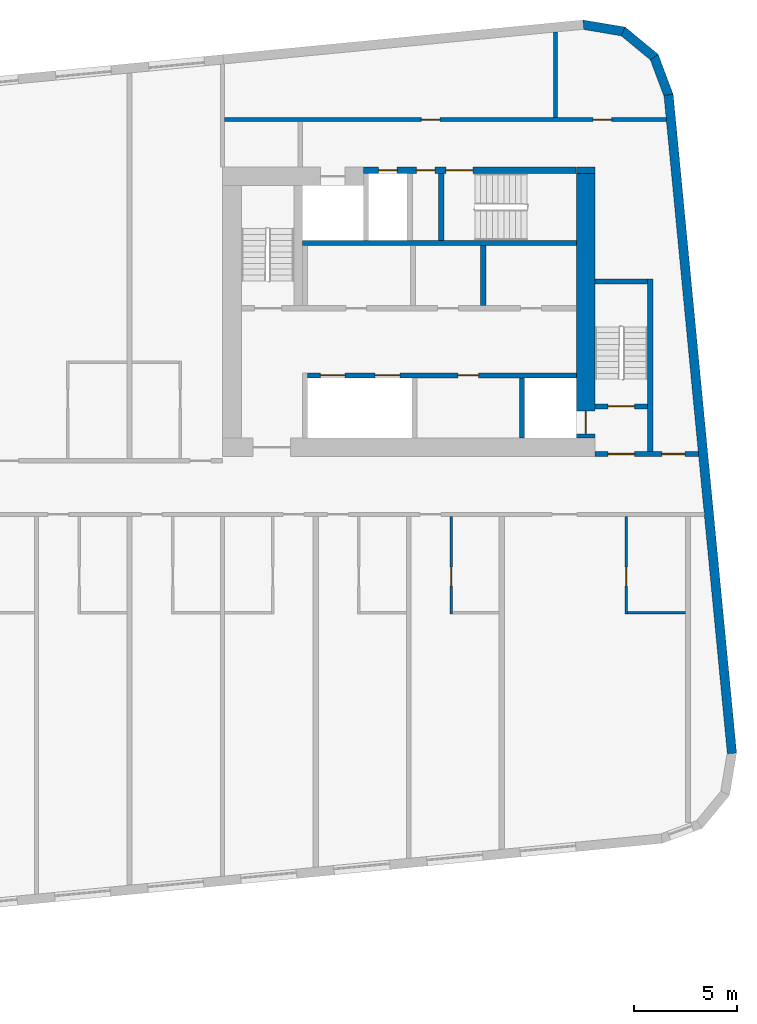
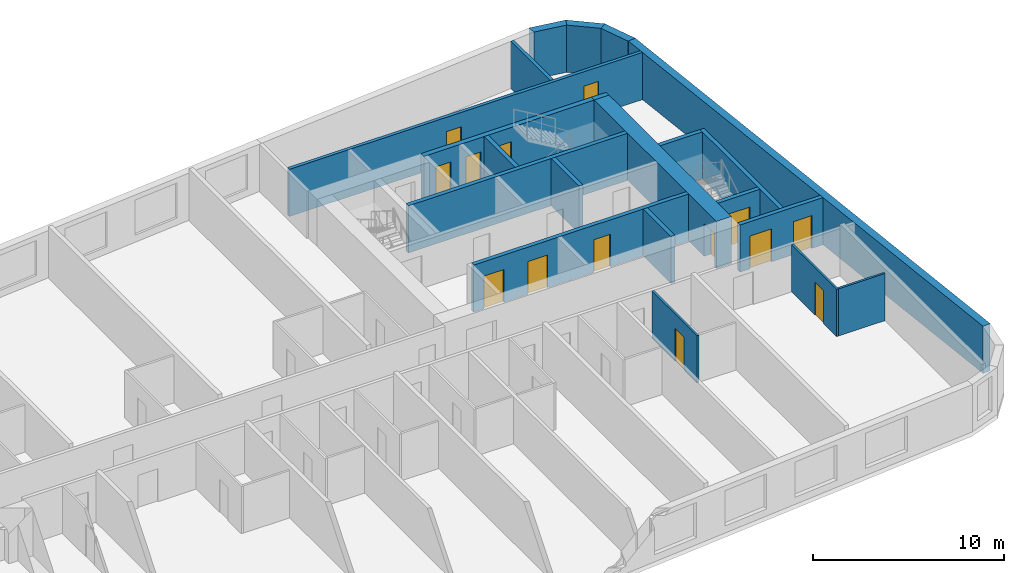
# One storey, part 7 of 11: 21 walls, 14 doors, 14 openings.
"""IFC4 building model written with IfcOpenShell, lengths in metres."""

from ifc_helpers import new_model, si_unit, direction, frame, frame_2d, origin, place, context, subcontext, project, spatial, polyline, rectangle, outline, extrude, material, layer, layer_set, type_object, element, fill, save


model = new_model("IFC4")

# Units and contexts
model_context = context("Model", 3, precision=1e-05, world=origin(), true_north=direction((0.0, 1.0)))
body_context = subcontext(model_context, "Body", "Model", "MODEL_VIEW")
ifc_project = project(units=[si_unit("LENGTHUNIT", "METRE"), si_unit("AREAUNIT", "SQUARE_METRE"), si_unit("VOLUMEUNIT", "CUBIC_METRE"), si_unit("PLANEANGLEUNIT", "RADIAN"), si_unit("MASSUNIT", "GRAM", prefix="KILO")], contexts=[model_context])

# Site, building, storey
site_placement = place(None, origin())
site = spatial("IfcSite", under=ifc_project, at=site_placement, CompositionType="ELEMENT")
building_placement = place(site_placement, origin())
building = spatial("IfcBuilding", under=site, at=building_placement, Name="Kajstack Hotel Tower", CompositionType="ELEMENT")
storey_placement = place(building_placement, frame((0.0, 0.0, 285.0)))
storey = spatial("IfcBuildingStorey", under=building, at=storey_placement, Name="L71", CompositionType="ELEMENT", Elevation=285.0)

# Wall
ifc_material_1 = material(Name="Concrete C60/75", Category="concrete")
ifc_layer_1 = layer(ifc_material_1, 0.89990234375)
ifc_layer_set_1 = layer_set([ifc_layer_1], Name="Core wall 900")
wall_type_1 = type_object("IfcWallType", Name="Core wall 900", PredefinedType="SHEAR", material=ifc_layer_set_1)
wall_1_placement = place(storey_placement, frame((30.60009765625, 15.35009765625, 0.0), z_axis=(0.0, 0.0, 1.0), x_axis=(1.0, 0.0, 0.0)))
element("IfcWall", 1, at=wall_1_placement, inside=storey, type_object=wall_type_1, Name="Core wall E RSW", PredefinedType="SHEAR", context=body_context, shape_type="SweptSolid", body=[
    extrude(rectangle(XDim=0.89990234375, YDim=0.300048828125, at=frame_2d((0.449951171875, 0.0))), origin(), (0.0, 0.0, 1.0), 3.02001953125),
])

# Wall, opening, door
wall_2_placement = place(storey_placement, frame((31.050048828125, 2.39990234375, 0.0), z_axis=(0.0, 0.0, 1.0), x_axis=(0.0, 1.0, 0.0)))
wall_2 = element("IfcWall", 2, at=wall_2_placement, inside=storey, type_object=wall_type_1, Name="Core wall E RW", PredefinedType="SHEAR", context=body_context, shape_type="SweptSolid", body=[
    extrude(rectangle(XDim=12.800048828125, YDim=0.89990234375, at=frame_2d((6.39990234375, 0.0))), origin(), (0.0, 0.0, 1.0), 3.02001953125),
])
opening_1_placement = place(wall_2_placement, frame((0.199951171875, 0.0, 0.0)))
opening_1 = element("IfcOpeningElement", 3, at=opening_1_placement, cuts=wall_2, Name="Opening LD-FF2", PredefinedType="OPENING", context=body_context, shape_type="SweptSolid", body=[
    extrude(rectangle(XDim=1.10009765625, YDim=2.10009765625, at=frame_2d((0.550048828125, 1.050048828125))), frame((0.0, 0.4599609375, 0.0), z_axis=(0.0, -1.0, 0.0), x_axis=(1.0, 0.0, 0.0)), (0.0, 0.0, 1.0), 0.919921875),
])
ifc_material_2 = material(Name="Stainless steel", Category="steel")
door_type_1 = type_object("IfcDoorType", Name="Fire-fighting lift landing door 1100", OperationType="SLIDING_TO_LEFT", PredefinedType="DOOR", material=ifc_material_2)
door_1_placement = place(opening_1_placement, origin())
door_1 = element("IfcDoor", 4, at=door_1_placement, inside=storey, type_object=door_type_1, Name="Landing door FF2", OperationType="SLIDING_TO_LEFT", OverallHeight=2.10009765625, OverallWidth=1.10009765625, PredefinedType="DOOR", context=body_context, shape_type="SweptSolid", body=[
    extrude(rectangle(XDim=1.10009765625, YDim=2.10009765625, at=frame_2d((0.550048828125, 1.050048828125))), frame((0.0, 0.02490234375, 0.0), z_axis=(0.0, -1.0, 0.0), x_axis=(1.0, 0.0, 0.0)), (0.0, 0.0, 1.0), 0.050048828125),
])
fill(opening_1, door_1)

# Walls
ifc_material_3 = material(Name="Terracotta-faced brick masonry", Category="masonry")
ifc_layer_2 = layer(ifc_material_3, 0.449951171875)
ifc_layer_set_2 = layer_set([ifc_layer_2], Name="EW-TERRA")
wall_type_2 = type_object("IfcWallType", Name="EW-TERRA", PredefinedType="SOLIDWALL", material=ifc_layer_set_2)
wall_3_placement = place(storey_placement, frame((38.13232421875, -12.85791015625, 0.0), z_axis=(0.0, 0.0, 1.0), x_axis=(-0.095847749461, 0.995396006082, 0.0)))
element("IfcWall", 5, at=wall_3_placement, inside=storey, type_object=wall_type_2, Name="E-wall-L71-08-00", PredefinedType="SOLIDWALL", context=body_context, shape_type="SweptSolid", body=[
    extrude(rectangle(XDim=32.0, YDim=0.449951171875, at=frame_2d((16.0, 0.0))), origin(), (0.0, 0.0, 1.0), 3.02001953125),
])
wall_4_placement = place(storey_placement, frame((35.078369140625, 18.9375, 0.0), z_axis=(0.0, 0.0, 1.0), x_axis=(-0.350192909346, 0.936677599948, 0.0)))
element("IfcWall", 6, at=wall_4_placement, inside=storey, type_object=wall_type_2, Name="E-wall-L71-09-00", PredefinedType="SOLIDWALL", context=body_context, shape_type="SweptSolid", body=[
    extrude(outline(polyline([(0.0, -0.22509765625), (2.070556640625, -0.22509765625), (1.949951171875, 0.224853515625), (0.12060546875, 0.224853515625), (0.0, -0.22509765625)])), origin(), (0.0, 0.0, 1.0), 3.02001953125),
])
wall_5_placement = place(storey_placement, frame((34.4208984375, 20.7822265625, 0.0), z_axis=(0.0, 0.0, 1.0), x_axis=(-0.771593176315, 0.636116318187, 0.0)))
element("IfcWall", 7, at=wall_5_placement, inside=storey, type_object=wall_type_2, Name="E-wall-L71-10-00", PredefinedType="SOLIDWALL", context=body_context, shape_type="SweptSolid", body=[
    extrude(outline(polyline([(0.0, -0.22509765625), (2.070556640625, -0.224853515625), (1.949951171875, 0.22509765625), (0.120361328125, 0.22509765625), (0.0, -0.22509765625)])), origin(), (0.0, 0.0, 1.0), 3.02001953125),
])
wall_6_placement = place(storey_placement, frame((32.92919921875, 22.051025390625, 0.0), z_axis=(0.0, 0.0, 1.0), x_axis=(-0.986298144721, 0.164972633245, 0.0)))
element("IfcWall", 8, at=wall_6_placement, inside=storey, type_object=wall_type_2, Name="E-wall-L71-11-00", PredefinedType="SOLIDWALL", context=body_context, shape_type="SweptSolid", body=[
    extrude(outline(polyline([(0.0, -0.224853515625), (2.0703125, -0.22509765625), (1.949951171875, 0.224853515625), (0.12060546875, 0.22509765625), (0.0, -0.224853515625)])), origin(), (0.0, 0.0, 1.0), 3.02001953125),
])

# Wall, opening, door
ifc_material_4 = material(Name="Gypsum board and tiled backer on steel studs", Category="steel")
ifc_layer_3 = layer(ifc_material_4, 0.125)
ifc_layer_set_3 = layer_set([ifc_layer_3], Name="En-suite wall 125")
wall_type_3 = type_object("IfcWallType", Name="En-suite wall 125", PredefinedType="PARTITIONING", material=ifc_layer_set_3)
wall_7_placement = place(storey_placement, frame((24.56201171875, -6.125, 0.0), z_axis=(0.0, 0.0, 1.0), x_axis=(0.0, 1.0, 0.0)))
wall_7 = element("IfcWall", 9, at=wall_7_placement, inside=storey, type_object=wall_type_3, Name="G-wall-L71-036", PredefinedType="PARTITIONING", context=body_context, shape_type="SweptSolid", body=[
    extrude(rectangle(XDim=4.72509765625, YDim=0.125, at=frame_2d((2.362548828125, 0.0))), origin(), (0.0, 0.0, 1.0), 3.02001953125),
])
opening_2_placement = place(wall_7_placement, frame((1.375, 0.0, 0.0)))
opening_2 = element("IfcOpeningElement", 10, at=opening_2_placement, cuts=wall_7, Name="Opening 71030", PredefinedType="OPENING", context=body_context, shape_type="SweptSolid", body=[
    extrude(rectangle(XDim=0.89990234375, YDim=2.10009765625, at=frame_2d((0.449951171875, 1.050048828125))), frame((0.0, 0.072509765625, 0.0), z_axis=(0.0, -1.0, 0.0), x_axis=(1.0, 0.0, 0.0)), (0.0, 0.0, 1.0), 0.14501953125),
])
ifc_material_5 = material(Name="Painted timber door leaf", Category="wood")
door_type_2 = type_object("IfcDoorType", Name="Room door 900", OperationType="SINGLE_SWING_LEFT", PredefinedType="DOOR", material=ifc_material_5)
door_2_placement = place(opening_2_placement, origin())
door_2 = element("IfcDoor", 11, at=door_2_placement, inside=storey, type_object=door_type_2, Name="G-door-L71-30", OperationType="SINGLE_SWING_RIGHT", OverallHeight=2.10009765625, OverallWidth=0.89990234375, PredefinedType="DOOR", context=body_context, shape_type="SweptSolid", body=[
    extrude(rectangle(XDim=0.89990234375, YDim=2.10009765625, at=frame_2d((0.449951171875, 1.050048828125))), frame((0.0, 0.02490234375, 0.0), z_axis=(0.0, -1.0, 0.0), x_axis=(1.0, 0.0, 0.0)), (0.0, 0.0, 1.0), 0.050048828125),
])
fill(opening_2, door_2)

wall_8_placement = place(storey_placement, frame((33.012939453125, -6.125, 0.0), z_axis=(0.0, 0.0, 1.0), x_axis=(0.0, 1.0, 0.0)))
wall_8 = element("IfcWall", 12, at=wall_8_placement, inside=storey, type_object=wall_type_3, Name="G-wall-L71-038", PredefinedType="PARTITIONING", context=body_context, shape_type="SweptSolid", body=[
    extrude(rectangle(XDim=4.72509765625, YDim=0.125, at=frame_2d((2.362548828125, 0.0))), origin(), (0.0, 0.0, 1.0), 3.02001953125),
])
opening_3_placement = place(wall_8_placement, frame((1.375, 0.0, 0.0)))
opening_3 = element("IfcOpeningElement", 13, at=opening_3_placement, cuts=wall_8, Name="Opening 71032", PredefinedType="OPENING", context=body_context, shape_type="SweptSolid", body=[
    extrude(rectangle(XDim=0.89990234375, YDim=2.10009765625, at=frame_2d((0.449951171875, 1.050048828125))), frame((0.0, 0.072509765625, 0.0), z_axis=(0.0, -1.0, 0.0), x_axis=(1.0, 0.0, 0.0)), (0.0, 0.0, 1.0), 0.14501953125),
])
door_3_placement = place(opening_3_placement, origin())
door_3 = element("IfcDoor", 14, at=door_3_placement, inside=storey, type_object=door_type_2, Name="G-door-L71-32", OperationType="SINGLE_SWING_RIGHT", OverallHeight=2.10009765625, OverallWidth=0.89990234375, PredefinedType="DOOR", context=body_context, shape_type="SweptSolid", body=[
    extrude(rectangle(XDim=0.89990234375, YDim=2.10009765625, at=frame_2d((0.449951171875, 1.050048828125))), frame((0.0, 0.02490234375, 0.0), z_axis=(0.0, -1.0, 0.0), x_axis=(1.0, 0.0, 0.0)), (0.0, 0.0, 1.0), 0.050048828125),
])
fill(opening_3, door_3)

# Walls
wall_9_placement = place(storey_placement, frame((33.074951171875, -6.06201171875, 0.0), z_axis=(0.0, 0.0, 1.0), x_axis=(1.0, 0.0, 0.0)))
element("IfcWall", 15, at=wall_9_placement, inside=storey, type_object=wall_type_3, Name="G-wall-L71-039", PredefinedType="PARTITIONING", context=body_context, shape_type="SweptSolid", body=[
    extrude(rectangle(XDim=2.800048828125, YDim=0.125, at=frame_2d((1.39990234375, 0.0))), origin(), (0.0, 0.0, 1.0), 3.02001953125),
])
ifc_material_6 = material(Name="Concrete block masonry", Category="masonry")
ifc_layer_4 = layer(ifc_material_6, 0.25)
ifc_layer_set_4 = layer_set([ifc_layer_4], Name="Riser partition 250")
wall_type_4 = type_object("IfcWallType", Name="Riser partition 250", PredefinedType="PARTITIONING", material=ifc_layer_set_4)
wall_10_placement = place(storey_placement, frame((26.10009765625, 8.800048828125, 0.0), z_axis=(0.0, 0.0, 1.0), x_axis=(0.0, 1.0, 0.0)))
element("IfcWall", 16, at=wall_10_placement, inside=storey, type_object=wall_type_4, Name="Partition E BF0", PredefinedType="PARTITIONING", context=body_context, shape_type="SweptSolid", body=[
    extrude(rectangle(XDim=2.89990234375, YDim=0.25, at=frame_2d((1.449951171875, 0.0))), origin(), (0.0, 0.0, 1.0), 3.02001953125),
])

# Wall, openings, doors
ifc_material_7 = material(Name="Gypsum board on steel studs, mineral wool", Category="steel")
ifc_layer_5 = layer(ifc_material_7, 0.199951171875)
ifc_layer_set_5 = layer_set([ifc_layer_5], Name="Service partition 200")
wall_type_5 = type_object("IfcWallType", Name="Service partition 200", PredefinedType="PARTITIONING", material=ifc_layer_set_5)
wall_11_placement = place(storey_placement, frame((31.5, 1.625, 0.0), z_axis=(0.0, 0.0, 1.0), x_axis=(1.0, 0.0, 0.0)))
wall_11 = element("IfcWall", 17, at=wall_11_placement, inside=storey, type_object=wall_type_5, Name="Partition E SN", PredefinedType="PARTITIONING", context=body_context, shape_type="SweptSolid", body=[
    extrude(rectangle(XDim=5.01171875, YDim=0.25, at=frame_2d((2.505859375, 0.0))), origin(), (0.0, 0.0, 1.0), 3.02001953125),
])
opening_4_placement = place(wall_11_placement, frame((0.625, 0.0, 0.0)))
opening_4 = element("IfcOpeningElement", 18, at=opening_4_placement, cuts=wall_11, Name="Opening 71E06", PredefinedType="OPENING", context=body_context, shape_type="SweptSolid", body=[
    extrude(rectangle(XDim=1.300048828125, YDim=2.10009765625, at=frame_2d((0.64990234375, 1.050048828125))), frame((0.0, 0.135009765625, 0.0), z_axis=(0.0, -1.0, 0.0), x_axis=(1.0, 0.0, 0.0)), (0.0, 0.0, 1.0), 0.27001953125),
])
opening_5_placement = place(wall_11_placement, frame((3.25, 0.0, 0.0)))
opening_5 = element("IfcOpeningElement", 19, at=opening_5_placement, cuts=wall_11, Name="Opening 71E08", PredefinedType="OPENING", context=body_context, shape_type="SweptSolid", body=[
    extrude(rectangle(XDim=1.10009765625, YDim=2.10009765625, at=frame_2d((0.550048828125, 1.050048828125))), frame((0.0, 0.135009765625, 0.0), z_axis=(0.0, -1.0, 0.0), x_axis=(1.0, 0.0, 0.0)), (0.0, 0.0, 1.0), 0.27001953125),
])
ifc_material_8 = material(Name="Steel leaf, fire-rated", Category="steel")
door_type_3 = type_object("IfcDoorType", Name="Fire lobby door 1300", OperationType="SINGLE_SWING_LEFT", PredefinedType="DOOR", material=ifc_material_8)
door_4_placement = place(opening_4_placement, origin())
door_4 = element("IfcDoor", 20, at=door_4_placement, inside=storey, type_object=door_type_3, Name="Door 71E06", OperationType="SINGLE_SWING_LEFT", OverallHeight=2.10009765625, OverallWidth=1.300048828125, PredefinedType="DOOR", context=body_context, shape_type="SweptSolid", body=[
    extrude(rectangle(XDim=1.300048828125, YDim=2.10009765625, at=frame_2d((0.64990234375, 1.050048828125))), frame((0.0, 0.02490234375, 0.0), z_axis=(0.0, -1.0, 0.0), x_axis=(1.0, 0.0, 0.0)), (0.0, 0.0, 1.0), 0.050048828125),
])
fill(opening_4, door_4)
ifc_material_9 = material(Name="Timber leaf, fire-rated", Category="wood")
door_type_4 = type_object("IfcDoorType", Name="Service corridor door 1100", OperationType="SINGLE_SWING_LEFT", PredefinedType="DOOR", material=ifc_material_9)
door_5_placement = place(opening_5_placement, origin())
door_5 = element("IfcDoor", 21, at=door_5_placement, inside=storey, type_object=door_type_4, Name="Door 71E08", OperationType="SINGLE_SWING_LEFT", OverallHeight=2.10009765625, OverallWidth=1.10009765625, PredefinedType="DOOR", context=body_context, shape_type="SweptSolid", body=[
    extrude(rectangle(XDim=1.10009765625, YDim=2.10009765625, at=frame_2d((0.550048828125, 1.050048828125))), frame((0.0, 0.02490234375, 0.0), z_axis=(0.0, -1.0, 0.0), x_axis=(1.0, 0.0, 0.0)), (0.0, 0.0, 1.0), 0.050048828125),
])
fill(opening_5, door_5)

wall_12_placement = place(storey_placement, frame((13.60009765625, 17.800048828125, 0.0), z_axis=(0.0, 0.0, 1.0), x_axis=(1.0, 0.0, 0.0)))
wall_12 = element("IfcWall", 22, at=wall_12_placement, inside=storey, type_object=wall_type_5, Name="Partition E SLN", PredefinedType="PARTITIONING", context=body_context, shape_type="SweptSolid", body=[
    extrude(rectangle(XDim=21.35400390625, YDim=0.199951171875, at=frame_2d((10.677001953125, 0.0))), origin(), (0.0, 0.0, 1.0), 3.02001953125),
])
opening_6_placement = place(wall_12_placement, frame((17.8125, 0.0, 0.0)))
opening_6 = element("IfcOpeningElement", 23, at=opening_6_placement, cuts=wall_12, Name="Opening 71E17", PredefinedType="OPENING", context=body_context, shape_type="SweptSolid", body=[
    extrude(rectangle(XDim=0.89990234375, YDim=2.10009765625, at=frame_2d((0.449951171875, 1.050048828125))), frame((0.0, 0.10986328125, 0.0), z_axis=(0.0, -1.0, 0.0), x_axis=(1.0, 0.0, 0.0)), (0.0, 0.0, 1.0), 0.219970703125),
])
opening_7_placement = place(wall_12_placement, frame((9.512451171875, 0.0, 0.0)))
opening_7 = element("IfcOpeningElement", 24, at=opening_7_placement, cuts=wall_12, Name="Opening 71E18", PredefinedType="OPENING", context=body_context, shape_type="SweptSolid", body=[
    extrude(rectangle(XDim=0.89990234375, YDim=2.10009765625, at=frame_2d((0.449951171875, 1.050048828125))), frame((0.0, 0.10986328125, 0.0), z_axis=(0.0, -1.0, 0.0), x_axis=(1.0, 0.0, 0.0)), (0.0, 0.0, 1.0), 0.219970703125),
])
door_type_5 = type_object("IfcDoorType", Name="Service door 900", OperationType="SINGLE_SWING_LEFT", PredefinedType="DOOR", material=ifc_material_9)
door_6_placement = place(opening_6_placement, origin())
door_6 = element("IfcDoor", 25, at=door_6_placement, inside=storey, type_object=door_type_5, Name="Door 71E17", OperationType="SINGLE_SWING_LEFT", OverallHeight=2.10009765625, OverallWidth=0.89990234375, PredefinedType="DOOR", context=body_context, shape_type="SweptSolid", body=[
    extrude(rectangle(XDim=0.89990234375, YDim=2.10009765625, at=frame_2d((0.449951171875, 1.050048828125))), frame((0.0, 0.02490234375, 0.0), z_axis=(0.0, -1.0, 0.0), x_axis=(1.0, 0.0, 0.0)), (0.0, 0.0, 1.0), 0.050048828125),
])
fill(opening_6, door_6)
door_7_placement = place(opening_7_placement, origin())
door_7 = element("IfcDoor", 26, at=door_7_placement, inside=storey, type_object=door_type_5, Name="Door 71E18", OperationType="SINGLE_SWING_LEFT", OverallHeight=2.10009765625, OverallWidth=0.89990234375, PredefinedType="DOOR", context=body_context, shape_type="SweptSolid", body=[
    extrude(rectangle(XDim=0.89990234375, YDim=2.10009765625, at=frame_2d((0.449951171875, 1.050048828125))), frame((0.0, 0.02490234375, 0.0), z_axis=(0.0, -1.0, 0.0), x_axis=(1.0, 0.0, 0.0)), (0.0, 0.0, 1.0), 0.050048828125),
])
fill(opening_7, door_7)

# Wall
wall_13_placement = place(storey_placement, frame((29.60009765625, 17.89990234375, 0.0), z_axis=(0.0, 0.0, 1.0), x_axis=(0.0, 1.0, 0.0)))
element("IfcWall", 27, at=wall_13_placement, inside=storey, type_object=wall_type_5, Name="Partition E SLP0", PredefinedType="PARTITIONING", context=body_context, shape_type="SweptSolid", body=[
    extrude(rectangle(XDim=4.135986328125, YDim=0.199951171875, at=frame_2d((2.06787109375, 0.0))), origin(), (0.0, 0.0, 1.0), 3.02001953125),
])

# Wall, openings, doors
ifc_material_10 = material(Name="Concrete C50/60", Category="concrete")
ifc_layer_6 = layer(ifc_material_10, 0.25)
ifc_layer_set_6 = layer_set([ifc_layer_6], Name="Shaft wall 250")
wall_type_6 = type_object("IfcWallType", Name="Shaft wall 250", PredefinedType="SHEAR", material=ifc_layer_set_6)
wall_14_placement = place(storey_placement, frame((20.300048828125, 15.35009765625, 0.0), z_axis=(0.0, 0.0, 1.0), x_axis=(1.0, 0.0, 0.0)))
wall_14 = element("IfcWall", 28, at=wall_14_placement, inside=storey, type_object=wall_type_6, Name="Core wall E RSS", PredefinedType="SHEAR", context=body_context, shape_type="SweptSolid", body=[
    extrude(rectangle(XDim=10.300048828125, YDim=0.300048828125, at=frame_2d((5.14990234375, 0.0))), origin(), (0.0, 0.0, 1.0), 3.02001953125),
])
opening_8_placement = place(wall_14_placement, frame((4.0, 0.0, 0.0)))
opening_8 = element("IfcOpeningElement", 29, at=opening_8_placement, cuts=wall_14, Name="Opening 71E10", PredefinedType="OPENING", context=body_context, shape_type="SweptSolid", body=[
    extrude(rectangle(XDim=1.300048828125, YDim=2.10009765625, at=frame_2d((0.64990234375, 1.050048828125))), frame((0.0, 0.159912109375, 0.0), z_axis=(0.0, -1.0, 0.0), x_axis=(1.0, 0.0, 0.0)), (0.0, 0.0, 1.0), 0.320068359375),
])
opening_9_placement = place(wall_14_placement, frame((2.5625, 0.0, 0.0)))
opening_9 = element("IfcOpeningElement", 30, at=opening_9_placement, cuts=wall_14, Name="Opening 71E11", PredefinedType="OPENING", context=body_context, shape_type="SweptSolid", body=[
    extrude(rectangle(XDim=0.89990234375, YDim=2.10009765625, at=frame_2d((0.449951171875, 1.050048828125))), frame((0.0, 0.159912109375, 0.0), z_axis=(0.0, -1.0, 0.0), x_axis=(1.0, 0.0, 0.0)), (0.0, 0.0, 1.0), 0.320068359375),
])
opening_10_placement = place(wall_14_placement, frame((0.737548828125, 0.0, 0.0)))
opening_10 = element("IfcOpeningElement", 31, at=opening_10_placement, cuts=wall_14, Name="Opening 71E12", PredefinedType="OPENING", context=body_context, shape_type="SweptSolid", body=[
    extrude(rectangle(XDim=0.89990234375, YDim=2.10009765625, at=frame_2d((0.449951171875, 1.050048828125))), frame((0.0, 0.159912109375, 0.0), z_axis=(0.0, -1.0, 0.0), x_axis=(1.0, 0.0, 0.0)), (0.0, 0.0, 1.0), 0.320068359375),
])
door_type_6 = type_object("IfcDoorType", Name="Riser door 900", OperationType="SINGLE_SWING_LEFT", PredefinedType="DOOR", material=ifc_material_8)
door_8_placement = place(opening_10_placement, origin())
door_8 = element("IfcDoor", 32, at=door_8_placement, inside=storey, type_object=door_type_6, Name="Door 71E12", OperationType="SINGLE_SWING_RIGHT", OverallHeight=2.10009765625, OverallWidth=0.89990234375, PredefinedType="DOOR", context=body_context, shape_type="SweptSolid", body=[
    extrude(rectangle(XDim=0.89990234375, YDim=2.10009765625, at=frame_2d((0.449951171875, 1.050048828125))), frame((0.0, 0.02490234375, 0.0), z_axis=(0.0, -1.0, 0.0), x_axis=(1.0, 0.0, 0.0)), (0.0, 0.0, 1.0), 0.050048828125),
])
fill(opening_10, door_8)
door_9_placement = place(opening_9_placement, origin())
door_9 = element("IfcDoor", 33, at=door_9_placement, inside=storey, type_object=door_type_5, Name="Door 71E11", OperationType="SINGLE_SWING_RIGHT", OverallHeight=2.10009765625, OverallWidth=0.89990234375, PredefinedType="DOOR", context=body_context, shape_type="SweptSolid", body=[
    extrude(rectangle(XDim=0.89990234375, YDim=2.10009765625, at=frame_2d((0.449951171875, 1.050048828125))), frame((0.0, 0.02490234375, 0.0), z_axis=(0.0, -1.0, 0.0), x_axis=(1.0, 0.0, 0.0)), (0.0, 0.0, 1.0), 0.050048828125),
])
fill(opening_9, door_9)
door_type_7 = type_object("IfcDoorType", Name="Stair door 1300", OperationType="SINGLE_SWING_LEFT", PredefinedType="DOOR", material=ifc_material_8)
door_10_placement = place(opening_8_placement, origin())
door_10 = element("IfcDoor", 34, at=door_10_placement, inside=storey, type_object=door_type_7, Name="Door 71E10", OperationType="SINGLE_SWING_LEFT", OverallHeight=2.10009765625, OverallWidth=1.300048828125, PredefinedType="DOOR", context=body_context, shape_type="SweptSolid", body=[
    extrude(rectangle(XDim=1.300048828125, YDim=2.10009765625, at=frame_2d((0.64990234375, 1.050048828125))), frame((0.0, 0.02490234375, 0.0), z_axis=(0.0, -1.0, 0.0), x_axis=(1.0, 0.0, 0.0)), (0.0, 0.0, 1.0), 0.050048828125),
])
fill(opening_8, door_10)

wall_15_placement = place(storey_placement, frame((17.60009765625, 5.425048828125, 0.0), z_axis=(0.0, 0.0, 1.0), x_axis=(1.0, 0.0, 0.0)))
wall_15 = element("IfcWall", 35, at=wall_15_placement, inside=storey, type_object=wall_type_6, Name="Core wall E FA", PredefinedType="SHEAR", context=body_context, shape_type="SweptSolid", body=[
    extrude(rectangle(XDim=13.0, YDim=0.25, at=frame_2d((6.5, 0.0))), origin(), (0.0, 0.0, 1.0), 3.02001953125),
])
opening_11_placement = place(wall_15_placement, frame((3.27490234375, 0.0, 0.0)))
opening_11 = element("IfcOpeningElement", 36, at=opening_11_placement, cuts=wall_15, Name="Opening LD-HR3", PredefinedType="OPENING", context=body_context, shape_type="SweptSolid", body=[
    extrude(rectangle(XDim=1.199951171875, YDim=2.10009765625, at=frame_2d((0.60009765625, 1.050048828125))), frame((0.0, 0.135009765625, 0.0), z_axis=(0.0, -1.0, 0.0), x_axis=(1.0, 0.0, 0.0)), (0.0, 0.0, 1.0), 0.27001953125),
])
opening_12_placement = place(wall_15_placement, frame((0.625, 0.0, 0.0)))
opening_12 = element("IfcOpeningElement", 37, at=opening_12_placement, cuts=wall_15, Name="Opening LD-HR4", PredefinedType="OPENING", context=body_context, shape_type="SweptSolid", body=[
    extrude(rectangle(XDim=1.199951171875, YDim=2.10009765625, at=frame_2d((0.60009765625, 1.050048828125))), frame((0.0, 0.135009765625, 0.0), z_axis=(0.0, -1.0, 0.0), x_axis=(1.0, 0.0, 0.0)), (0.0, 0.0, 1.0), 0.27001953125),
])
opening_13_placement = place(wall_15_placement, frame((7.27490234375, 0.0, 0.0)))
opening_13 = element("IfcOpeningElement", 38, at=opening_13_placement, cuts=wall_15, Name="Opening 71E16", PredefinedType="OPENING", context=body_context, shape_type="SweptSolid", body=[
    extrude(rectangle(XDim=1.0, YDim=2.10009765625, at=frame_2d((0.5, 1.050048828125))), frame((0.0, 0.135009765625, 0.0), z_axis=(0.0, -1.0, 0.0), x_axis=(1.0, 0.0, 0.0)), (0.0, 0.0, 1.0), 0.27001953125),
])
door_type_8 = type_object("IfcDoorType", Name="Lift landing door 1200", OperationType="SLIDING_TO_LEFT", PredefinedType="DOOR", material=ifc_material_2)
door_11_placement = place(opening_11_placement, origin())
door_11 = element("IfcDoor", 39, at=door_11_placement, inside=storey, type_object=door_type_8, Name="Landing door HR3", OperationType="SLIDING_TO_RIGHT", OverallHeight=2.10009765625, OverallWidth=1.199951171875, PredefinedType="DOOR", context=body_context, shape_type="SweptSolid", body=[
    extrude(rectangle(XDim=1.199951171875, YDim=2.10009765625, at=frame_2d((0.60009765625, 1.050048828125))), frame((0.0, 0.02490234375, 0.0), z_axis=(0.0, -1.0, 0.0), x_axis=(1.0, 0.0, 0.0)), (0.0, 0.0, 1.0), 0.050048828125),
])
fill(opening_11, door_11)
door_12_placement = place(opening_12_placement, origin())
door_12 = element("IfcDoor", 40, at=door_12_placement, inside=storey, type_object=door_type_8, Name="Landing door HR4", OperationType="SLIDING_TO_LEFT", OverallHeight=2.10009765625, OverallWidth=1.199951171875, PredefinedType="DOOR", context=body_context, shape_type="SweptSolid", body=[
    extrude(rectangle(XDim=1.199951171875, YDim=2.10009765625, at=frame_2d((0.60009765625, 1.050048828125))), frame((0.0, 0.02490234375, 0.0), z_axis=(0.0, -1.0, 0.0), x_axis=(1.0, 0.0, 0.0)), (0.0, 0.0, 1.0), 0.050048828125),
])
fill(opening_12, door_12)
door_type_9 = type_object("IfcDoorType", Name="Service room door 1000", OperationType="SINGLE_SWING_LEFT", PredefinedType="DOOR", material=ifc_material_9)
door_13_placement = place(opening_13_placement, origin())
door_13 = element("IfcDoor", 41, at=door_13_placement, inside=storey, type_object=door_type_9, Name="Door 71E16", OperationType="SINGLE_SWING_LEFT", OverallHeight=2.10009765625, OverallWidth=1.0, PredefinedType="DOOR", context=body_context, shape_type="SweptSolid", body=[
    extrude(rectangle(XDim=1.0, YDim=2.10009765625, at=frame_2d((0.5, 1.050048828125))), frame((0.0, 0.02490234375, 0.0), z_axis=(0.0, -1.0, 0.0), x_axis=(1.0, 0.0, 0.0)), (0.0, 0.0, 1.0), 0.050048828125),
])
fill(opening_13, door_13)

# Walls
wall_16_placement = place(storey_placement, frame((27.97509765625, 2.39990234375, 0.0), z_axis=(0.0, 0.0, 1.0), x_axis=(0.0, 1.0, 0.0)))
element("IfcWall", 42, at=wall_16_placement, inside=storey, type_object=wall_type_6, Name="Core wall E AP0", PredefinedType="SHEAR", context=body_context, shape_type="SweptSolid", body=[
    extrude(rectangle(XDim=2.900146484375, YDim=0.25, at=frame_2d((1.4501953125, 0.0))), origin(), (0.0, 0.0, 1.0), 3.02001953125),
])
wall_17_placement = place(storey_placement, frame((17.35009765625, 11.824951171875, 0.0), z_axis=(0.0, 0.0, 1.0), x_axis=(1.0, 0.0, 0.0)))
element("IfcWall", 43, at=wall_17_placement, inside=storey, type_object=wall_type_6, Name="Core wall E RB", PredefinedType="SHEAR", context=body_context, shape_type="SweptSolid", body=[
    extrude(rectangle(XDim=13.25, YDim=0.25, at=frame_2d((6.625, 0.0))), origin(), (0.0, 0.0, 1.0), 3.02001953125),
])

# Wall, opening, door
ifc_material_11 = material(Name="Concrete C40/50", Category="concrete")
ifc_layer_7 = layer(ifc_material_11, 0.25)
ifc_layer_set_7 = layer_set([ifc_layer_7], Name="Stair enclosure wall 250")
wall_type_7 = type_object("IfcWallType", Name="Stair enclosure wall 250", PredefinedType="SHEAR", material=ifc_layer_set_7)
wall_18_placement = place(storey_placement, frame((31.5, 3.925048828125, 0.0), z_axis=(0.0, 0.0, 1.0), x_axis=(1.0, 0.0, 0.0)))
wall_18 = element("IfcWall", 44, at=wall_18_placement, inside=storey, type_object=wall_type_7, Name="Core wall E W1N", PredefinedType="SHEAR", context=body_context, shape_type="SweptSolid", body=[
    extrude(rectangle(XDim=2.550048828125, YDim=0.25, at=frame_2d((1.27490234375, 0.0))), origin(), (0.0, 0.0, 1.0), 3.02001953125),
])
opening_14_placement = place(wall_18_placement, frame((0.625, 0.0, 0.0)))
opening_14 = element("IfcOpeningElement", 45, at=opening_14_placement, cuts=wall_18, Name="Opening 71E07", PredefinedType="OPENING", context=body_context, shape_type="SweptSolid", body=[
    extrude(rectangle(XDim=1.300048828125, YDim=2.10009765625, at=frame_2d((0.64990234375, 1.050048828125))), frame((0.0, 0.135009765625, 0.0), z_axis=(0.0, -1.0, 0.0), x_axis=(1.0, 0.0, 0.0)), (0.0, 0.0, 1.0), 0.27001953125),
])
door_14_placement = place(opening_14_placement, origin())
door_14 = element("IfcDoor", 46, at=door_14_placement, inside=storey, type_object=door_type_7, Name="Door 71E07", OperationType="SINGLE_SWING_LEFT", OverallHeight=2.10009765625, OverallWidth=1.300048828125, PredefinedType="DOOR", context=body_context, shape_type="SweptSolid", body=[
    extrude(rectangle(XDim=1.300048828125, YDim=2.10009765625, at=frame_2d((0.64990234375, 1.050048828125))), frame((0.0, 0.02490234375, 0.0), z_axis=(0.0, -1.0, 0.0), x_axis=(1.0, 0.0, 0.0)), (0.0, 0.0, 1.0), 0.050048828125),
])
fill(opening_14, door_14)

# Walls
wall_19_placement = place(storey_placement, frame((34.175048828125, 1.75, 0.0), z_axis=(0.0, 0.0, 1.0), x_axis=(0.0, 1.0, 0.0)))
element("IfcWall", 47, at=wall_19_placement, inside=storey, type_object=wall_type_7, Name="Core wall E W1W", PredefinedType="SHEAR", context=body_context, shape_type="SweptSolid", body=[
    extrude(rectangle(XDim=8.35009765625, YDim=0.25, at=frame_2d((4.175048828125, 0.0))), origin(), (0.0, 0.0, 1.0), 3.02001953125),
])
wall_20_placement = place(storey_placement, frame((31.5, 9.97509765625, 0.0), z_axis=(0.0, 0.0, 1.0), x_axis=(1.0, 0.0, 0.0)))
element("IfcWall", 48, at=wall_20_placement, inside=storey, type_object=wall_type_7, Name="Core wall E W1S", PredefinedType="SHEAR", context=body_context, shape_type="SweptSolid", body=[
    extrude(rectangle(XDim=2.550048828125, YDim=0.25, at=frame_2d((1.27490234375, 0.0))), origin(), (0.0, 0.0, 1.0), 3.02001953125),
])
ifc_layer_8 = layer(ifc_material_10, 0.35009765625)
ifc_layer_set_8 = layer_set([ifc_layer_8], Name="Stair enclosure wall 350")
wall_type_8 = type_object("IfcWallType", Name="Stair enclosure wall 350", PredefinedType="SHEAR", material=ifc_layer_set_8)
wall_21_placement = place(storey_placement, frame((24.074951171875, 11.949951171875, 0.0), z_axis=(0.0, 0.0, 1.0), x_axis=(0.0, 1.0, 0.0)))
element("IfcWall", 49, at=wall_21_placement, inside=storey, type_object=wall_type_8, Name="Core wall E W3E", PredefinedType="SHEAR", context=body_context, shape_type="SweptSolid", body=[
    extrude(rectangle(XDim=3.25, YDim=0.25, at=frame_2d((1.625, 0.0))), origin(), (0.0, 0.0, 1.0), 3.02001953125),
])

save(model, "model.ifc")
